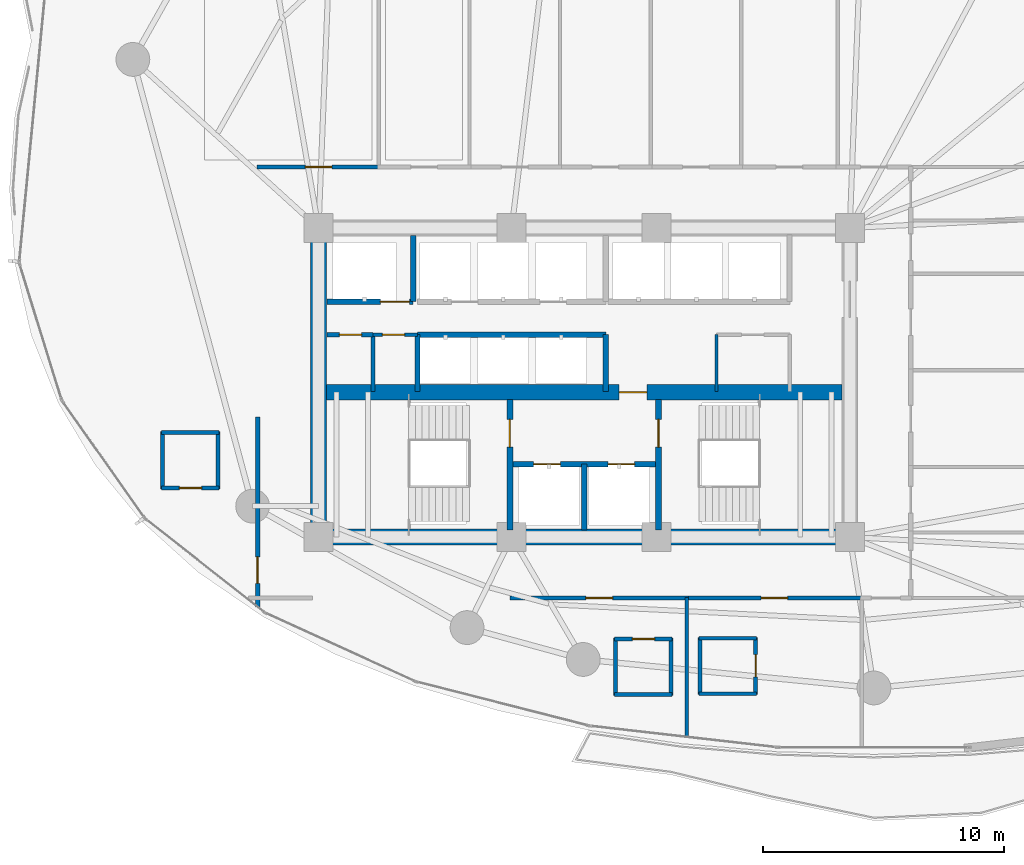
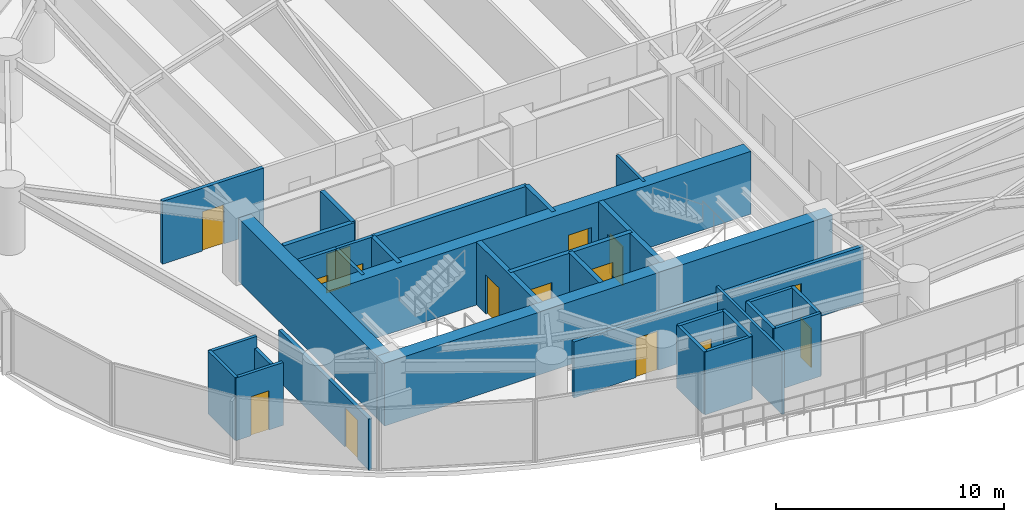
# One storey, part 25 of 32: 33 walls, 15 doors, 15 openings.
"""IFC4 building model written with IfcOpenShell, lengths in metres."""

import ifcopenshell
import ifcopenshell.guid

model = None  # the IFC model being written
_history = None  # IfcOwnerHistory: only IFC2X3 demands one
_inside = {}  # id of a spatial element -> (the spatial element, [elements in it])
_under = {}  # id of a project, library or spatial element -> (it, [spatial elements below it])
_declared = {}  # id of a project -> (the project, [libraries it declares])
_typed = {}  # id of a type object -> (the type object, [elements of that type])
_made_of = {}  # id of a material, layer set ... -> (it, [elements and type objects made of it])


def new_model(schema):
    """Start an empty IFC model of exactly this schema.

    Asked for "IFC4X3", IfcOpenShell would pick the latest addendum, in which some entities
    have other attributes; the version numbers below select the first issue.
    IFC2X3 requires an IfcOwnerHistory on every rooted entity: one is made here for all.
    """
    global model, _history
    if schema == "IFC4X3":
        model = ifcopenshell.file(schema_version=(4, 3, 0, 0))
    else:
        model = ifcopenshell.file(schema=schema)
    _inside.clear()
    _under.clear()
    _declared.clear()
    _typed.clear()
    _made_of.clear()
    _history = None
    if model.schema == "IFC2X3":
        org = make("IfcOrganization", Name="unknown")
        user = make(
            "IfcPersonAndOrganization",
            ThePerson=make("IfcPerson", FamilyName="unknown"),
            TheOrganization=org,
        )
        app = make(
            "IfcApplication",
            ApplicationDeveloper=org,
            Version="unknown",
            ApplicationFullName="unknown",
            ApplicationIdentifier="unknown",
        )
        _history = make(
            "IfcOwnerHistory",
            OwningUser=user,
            OwningApplication=app,
            ChangeAction="ADDED",
            CreationDate=0,
        )
    return model


def make(cls, **values):
    """One entity of the class cls with the attributes given. An attribute that is None is left unset."""
    return model.create_entity(
        cls, **{name: value for name, value in values.items() if value is not None}
    )


def rooted(cls, **values):
    """An entity with a GlobalId (a new one), such as an element, a storey or a relation."""
    return make(cls, GlobalId=ifcopenshell.guid.new(), OwnerHistory=_history, **values)


def si_unit(unit_type, name, prefix=None):
    """IfcSIUnit, for example si_unit("LENGTHUNIT", "METRE", prefix="MILLI")."""
    return make("IfcSIUnit", UnitType=unit_type, Prefix=prefix, Name=name)


def assignment(units):
    """IfcUnitAssignment: the units of a project."""
    return None if units is None else make("IfcUnitAssignment", Units=units)


def point(xyz):
    """IfcCartesianPoint."""
    return None if xyz is None else make("IfcCartesianPoint", Coordinates=xyz)


def direction(xyz):
    """IfcDirection."""
    return None if xyz is None else make("IfcDirection", DirectionRatios=xyz)


def frame(location, z_axis=None, x_axis=None):
    """IfcAxis2Placement3D, a coordinate frame: its origin and axes. An axis left out is left unset."""
    return make(
        "IfcAxis2Placement3D",
        Location=point(location),
        Axis=direction(z_axis),
        RefDirection=direction(x_axis),
    )


def frame_2d(location, x_axis=None):
    """IfcAxis2Placement2D, a coordinate frame in the plane: its origin and x axis."""
    return make(
        "IfcAxis2Placement2D", Location=point(location), RefDirection=direction(x_axis)
    )


def origin():
    """The frame at (0, 0, 0) with its axes left unset."""
    return frame((0.0, 0.0, 0.0))


def place(relative_to, where):
    """IfcLocalPlacement: puts the frame where relative to a parent placement (None: the world)."""
    return make(
        "IfcLocalPlacement", PlacementRelTo=relative_to, RelativePlacement=where
    )


def context(
    kind, dimensions, precision=None, world=None, true_north=None, identifier=None
):
    """IfcGeometricRepresentationContext, for example the 3D "Model" context."""
    return make(
        "IfcGeometricRepresentationContext",
        ContextIdentifier=identifier,
        ContextType=kind,
        CoordinateSpaceDimension=dimensions,
        Precision=precision,
        WorldCoordinateSystem=world,
        TrueNorth=true_north,
    )


def subcontext(parent, identifier, kind, view, scale=None):
    """IfcGeometricRepresentationSubContext, for example "Body" below "Model"."""
    return make(
        "IfcGeometricRepresentationSubContext",
        ContextIdentifier=identifier,
        ContextType=kind,
        ParentContext=parent,
        TargetScale=scale,
        TargetView=view,
    )


def project(units=None, contexts=None):
    """IfcProject with its units and contexts."""
    return rooted(
        "IfcProject",
        Name="project",
        RepresentationContexts=contexts,
        UnitsInContext=assignment(units),
    )


def spatial(cls, under=None, at=None, **own):
    """A site, building, storey or space (cls), placed at a placement, below another one or the project."""
    s = rooted(cls, ObjectPlacement=at, **own)
    if under is not None:
        _under.setdefault(under.id(), (under, []))[1].append(s)
    return s


def profile(cls, at=None, kind="AREA", **sizes):
    """A parametric profile (cls). Its sizes go by their IFC names, for example OverallWidth=200.0."""
    return make(cls, ProfileType=kind, Position=at, **sizes)


def rectangle(**sizes):
    """IfcRectangleProfileDef."""
    return profile("IfcRectangleProfileDef", **sizes)


def extrude(swept, where, along, depth):
    """IfcExtrudedAreaSolid: the profile swept, set in the frame where, extruded along a direction by depth."""
    return make(
        "IfcExtrudedAreaSolid",
        SweptArea=swept,
        Position=where,
        ExtrudedDirection=direction(along),
        Depth=depth,
    )


def shape(context_of_items, identifier, shape_type, items):
    """IfcShapeRepresentation: the items that make up one representation, for example the "Body"."""
    return make(
        "IfcShapeRepresentation",
        ContextOfItems=context_of_items,
        RepresentationIdentifier=identifier,
        RepresentationType=shape_type,
        Items=items,
    )


def material(Name=None, Category=None):
    """IfcMaterial."""
    return make("IfcMaterial", Name=Name, Category=Category)


def layer(
    of_material, thickness, ventilated=None, Name=None, Category=None, Priority=None
):
    """IfcMaterialLayer: one layer of a wall or slab, of a material (None: an air gap)."""
    return make(
        "IfcMaterialLayer",
        Material=of_material,
        LayerThickness=thickness,
        IsVentilated=ventilated,
        Name=Name,
        Category=Category,
        Priority=Priority,
    )


def layer_set(layers, Name=None):
    """IfcMaterialLayerSet."""
    return make("IfcMaterialLayerSet", MaterialLayers=layers, LayerSetName=Name)


def made_of(thing, what):
    """Note that an element or type object is made of a material, layer set ...; save() writes the relation."""
    if what is not None:
        _made_of.setdefault(what.id(), (what, []))[1].append(thing)
    return thing


def type_object(cls, material=None, **own):
    """A type object (cls), such as IfcWallType, which elements share."""
    return made_of(rooted(cls, **own), material)


def element(
    cls,
    number,
    at=None,
    inside=None,
    cuts=None,
    type_object=None,
    material=None,
    context=None,
    identifier="Body",
    shape_type=None,
    held_by="IfcProductDefinitionShape",
    body=None,
    shapes=None,
    **own,
):
    """One element of the class cls, such as IfcWall. Its Tag is "e" and its number.

    at: its placement. inside: the storey or other place that contains it. cuts: it is an
    opening in that element (IfcRelVoidsElement). A single representation is given by context,
    identifier, shape_type and body (its items); several are given by shapes. held_by: the class
    of the entity that holds the representations. save() writes the other relations.
    """
    e = rooted(cls, Tag="e%d" % number, ObjectPlacement=at, **own)
    if body is not None:
        shapes = [shape(context, identifier, shape_type, body)]
    if shapes is not None:
        e.Representation = make(held_by, Representations=shapes)
    if inside is not None:
        _inside.setdefault(inside.id(), (inside, []))[1].append(e)
    if cuts is not None:
        rooted(
            "IfcRelVoidsElement", RelatingBuildingElement=cuts, RelatedOpeningElement=e
        )
    if type_object is not None:
        _typed.setdefault(type_object.id(), (type_object, []))[1].append(e)
    return made_of(e, material)


def fill(opening, filler):
    """IfcRelFillsElement: the door or window that sits in an opening."""
    return rooted(
        "IfcRelFillsElement",
        RelatingOpeningElement=opening,
        RelatedBuildingElement=filler,
    )


def aggregate(whole, parts):
    """IfcRelAggregates: a whole, such as a stair, and the parts it consists of."""
    return rooted("IfcRelAggregates", RelatingObject=whole, RelatedObjects=parts)


def save(model, path):
    """Write the relations noted so far, then the file.

    IfcRelAggregates (storeys below a building ...), IfcRelContainedInSpatialStructure (elements
    in a storey), IfcRelDefinesByType, IfcRelAssociatesMaterial and IfcRelDeclares: one each for
    every whole, place, type object, material and project.
    """
    for whole, parts in _under.values():
        aggregate(whole, parts)
    for where, things in _inside.values():
        rooted(
            "IfcRelContainedInSpatialStructure",
            RelatedElements=things,
            RelatingStructure=where,
        )
    for kind, things in _typed.values():
        rooted("IfcRelDefinesByType", RelatedObjects=things, RelatingType=kind)
    for what, things in _made_of.values():
        rooted("IfcRelAssociatesMaterial", RelatedObjects=things, RelatingMaterial=what)
    for by, libraries in _declared.values():
        rooted("IfcRelDeclares", RelatingContext=by, RelatedDefinitions=libraries)
    model.write(path)


model = new_model("IFC4")

# Units and contexts
model_context = context("Model", 3, precision=1e-05, world=origin(), true_north=direction((0.0, 1.0)))
body_context = subcontext(model_context, "Body", "Model", "MODEL_VIEW")
ifc_project = project(units=[si_unit("LENGTHUNIT", "METRE"), si_unit("AREAUNIT", "SQUARE_METRE"), si_unit("VOLUMEUNIT", "CUBIC_METRE"), si_unit("PLANEANGLEUNIT", "RADIAN"), si_unit("MASSUNIT", "GRAM", prefix="KILO")], contexts=[model_context])

# Site, building, storey
site_placement = place(None, origin())
site = spatial("IfcSite", under=ifc_project, at=site_placement, CompositionType="ELEMENT")
building_placement = place(site_placement, origin())
building = spatial("IfcBuilding", under=site, at=building_placement, Name="Kazevale Care Tower and Concert Hall", CompositionType="ELEMENT")
storey_placement = place(building_placement, frame((0.0, 0.0, 34.800048828125)))
storey = spatial("IfcBuildingStorey", under=building, at=storey_placement, Name="L08", CompositionType="ELEMENT", Elevation=34.800048828125)

# Walls
ifc_material_1 = material(Name="Acoustic Gypsum on Steel Stud", Category="steel")
ifc_layer_1 = layer(ifc_material_1, 0.139892578125)
ifc_layer_set_1 = layer_set([ifc_layer_1], Name="Acoustic Gypsum on Steel Stud")
wall_type_1 = type_object("IfcWallType", Name="Acoustic Care & Suite Partition 140", PredefinedType="PARTITIONING", material=ifc_layer_set_1)
wall_1_placement = place(storey_placement, frame((38.47998046875, 29.6201171875, 0.0), z_axis=(0.0, 0.0, 1.0), x_axis=(0.0, 1.0, 0.0)))
element("IfcWall", 1, at=wall_1_placement, inside=storey, type_object=wall_type_1, Name="wall:L08:kb_ew", PredefinedType="PARTITIONING", context=body_context, shape_type="SweptSolid", body=[
    extrude(rectangle(XDim=2.35986328125, YDim=0.139892578125, at=frame_2d((1.179931640625, 0.0))), origin(), (0.0, 0.0, 1.0), 3.35986328125),
])
wall_2_placement = place(storey_placement, frame((37.25, 21.10498046875, 0.0), z_axis=(0.0, 0.0, 1.0), x_axis=(0.0, -1.0, 0.0)))
element("IfcWall", 2, at=wall_2_placement, inside=storey, type_object=wall_type_1, Name="wall:L08:auto_032", PredefinedType="PARTITIONING", context=body_context, shape_type="SweptSolid", body=[
    extrude(rectangle(XDim=5.775634765625, YDim=0.139892578125, at=frame_2d((2.8876953125, 0.0))), origin(), (0.0, 0.0, 1.0), 3.35986328125),
])
ifc_material_2 = material(Name="Concrete C70", Category="concrete")
ifc_layer_2 = layer(ifc_material_2, 0.64990234375)
ifc_layer_set_2 = layer_set([ifc_layer_2], Name="Concrete C70")
wall_type_2 = type_object("IfcWallType", Name="Core Shear Wall 650 C70", PredefinedType="SHEAR", material=ifc_layer_set_2)
wall_3_placement = place(storey_placement, frame((21.675048828125, 23.60009765625, 0.0), z_axis=(0.0, 0.0, 1.0), x_axis=(1.0, 0.0, 0.0)))
element("IfcWall", 3, at=wall_3_placement, inside=storey, type_object=wall_type_2, Name="wall:L08:core:S", PredefinedType="SHEAR", context=body_context, shape_type="SweptSolid", body=[
    extrude(rectangle(XDim=22.64990234375, YDim=0.64990234375, at=frame_2d((11.324951171875, 0.0))), origin(), (0.0, 0.0, 1.0), 3.35986328125),
])
wall_4_placement = place(storey_placement, frame((22.0, 23.925048828125, 0.0), z_axis=(0.0, 0.0, 1.0), x_axis=(0.0, 1.0, 0.0)))
element("IfcWall", 4, at=wall_4_placement, inside=storey, type_object=wall_type_2, Name="wall:L08:core:W", PredefinedType="SHEAR", context=body_context, shape_type="SweptSolid", body=[
    extrude(rectangle(XDim=12.14990234375, YDim=0.64990234375, at=frame_2d((6.074951171875, 0.0))), origin(), (0.0, 0.0, 1.0), 3.35986328125),
])

# Wall, opening, door
wall_5_placement = place(storey_placement, frame((22.324951171875, 29.60009765625, 0.0), z_axis=(0.0, 0.0, 1.0), x_axis=(1.0, 0.0, 0.0)))
wall_5 = element("IfcWall", 5, at=wall_5_placement, inside=storey, type_object=wall_type_2, Name="wall:L08:core:M", PredefinedType="SHEAR", context=body_context, shape_type="SweptSolid", body=[
    extrude(rectangle(XDim=21.35009765625, YDim=0.64990234375, at=frame_2d((10.675048828125, 0.0))), origin(), (0.0, 0.0, 1.0), 3.35986328125),
])
opening_1_placement = place(wall_5_placement, frame((12.125, 0.0, 0.0)))
opening_1 = element("IfcOpeningElement", 6, at=opening_1_placement, cuts=wall_5, Name="Opening FD-90", PredefinedType="OPENING", context=body_context, shape_type="SweptSolid", body=[
    extrude(rectangle(XDim=1.14990234375, YDim=2.10009765625, at=frame_2d((0.574951171875, 1.050048828125))), frame((0.0, 0.3349609375, 0.0), z_axis=(0.0, -1.0, 0.0), x_axis=(1.0, 0.0, 0.0)), (0.0, 0.0, 1.0), 0.669921875),
])
ifc_material_3 = material(Name="Steel ASTM A572 Gr 50", Category="steel")
door_type_1 = type_object("IfcDoorType", Name="Pressurized Stair & Lobby Fire Door 1150x2100", OperationType="NOTDEFINED", PredefinedType="DOOR", material=ifc_material_3)
door_1_placement = place(opening_1_placement, origin())
door_1 = element("IfcDoor", 7, at=door_1_placement, inside=storey, type_object=door_type_1, Name="door:L08:ff_to_pax", OperationType="SINGLE_SWING_LEFT", OverallHeight=2.10009765625, OverallWidth=1.14990234375, PredefinedType="DOOR", context=body_context, shape_type="SweptSolid", body=[
    extrude(rectangle(XDim=1.14990234375, YDim=2.10009765625, at=frame_2d((0.574951171875, 1.050048828125))), frame((0.0, 0.02490234375, 0.0), z_axis=(0.0, -1.0, 0.0), x_axis=(1.0, 0.0, 0.0)), (0.0, 0.0, 1.0), 0.050048828125),
])
fill(opening_1, door_1)

# Wall, openings, doors
ifc_material_4 = material(Name="Concrete C40", Category="concrete")
ifc_layer_3 = layer(ifc_material_4, 0.219970703125)
ifc_layer_set_3 = layer_set([ifc_layer_3], Name="Concrete C40")
wall_type_3 = type_object("IfcWallType", Name="Elevator Hoistway Shaft Wall 220", PredefinedType="SOLIDWALL", material=ifc_layer_set_3)
wall_6_placement = place(storey_placement, frame((29.919921875, 26.6201171875, 0.0), z_axis=(0.0, 0.0, 1.0), x_axis=(1.0, 0.0, 0.0)))
wall_6 = element("IfcWall", 8, at=wall_6_placement, inside=storey, type_object=wall_type_3, Name="wall:L08:c_ffl_n", PredefinedType="SOLIDWALL", context=body_context, shape_type="SweptSolid", body=[
    extrude(rectangle(XDim=6.16015625, YDim=0.219970703125, at=frame_2d((3.080078125, 0.0))), origin(), (0.0, 0.0, 1.0), 3.35986328125),
])
opening_2_placement = place(wall_6_placement, frame((0.989990234375, 0.0, 0.0)))
opening_2 = element("IfcOpeningElement", 9, at=opening_2_placement, cuts=wall_6, Name="Opening LD-FF", PredefinedType="OPENING", context=body_context, shape_type="SweptSolid", body=[
    extrude(rectangle(XDim=1.10009765625, YDim=2.10009765625, at=frame_2d((0.550048828125, 1.050048828125))), frame((0.0, 0.119873046875, 0.0), z_axis=(0.0, -1.0, 0.0), x_axis=(1.0, 0.0, 0.0)), (0.0, 0.0, 1.0), 0.239990234375),
])
opening_3_placement = place(wall_6_placement, frame((4.070068359375, 0.0, 0.0)))
opening_3 = element("IfcOpeningElement", 10, at=opening_3_placement, cuts=wall_6, Name="Opening LD-FF", PredefinedType="OPENING", context=body_context, shape_type="SweptSolid", body=[
    extrude(rectangle(XDim=1.10009765625, YDim=2.10009765625, at=frame_2d((0.550048828125, 1.050048828125))), frame((0.0, 0.119873046875, 0.0), z_axis=(0.0, -1.0, 0.0), x_axis=(1.0, 0.0, 0.0)), (0.0, 0.0, 1.0), 0.239990234375),
])
ifc_material_5 = material(Name="Stainless Steel 316", Category="steel")
door_type_2 = type_object("IfcDoorType", Name="Emergency Lift Sliding Landing Door 1100x2100", OperationType="NOTDEFINED", PredefinedType="DOOR", material=ifc_material_5)
door_2_placement = place(opening_2_placement, origin())
door_2 = element("IfcDoor", 11, at=door_2_placement, inside=storey, type_object=door_type_2, Name="door:L08:ld_ffl1", OperationType="SLIDING_TO_LEFT", OverallHeight=2.10009765625, OverallWidth=1.10009765625, PredefinedType="DOOR", context=body_context, shape_type="SweptSolid", body=[
    extrude(rectangle(XDim=1.10009765625, YDim=2.10009765625, at=frame_2d((0.550048828125, 1.050048828125))), frame((0.0, 0.02490234375, 0.0), z_axis=(0.0, -1.0, 0.0), x_axis=(1.0, 0.0, 0.0)), (0.0, 0.0, 1.0), 0.050048828125),
])
fill(opening_2, door_2)
door_3_placement = place(opening_3_placement, origin())
door_3 = element("IfcDoor", 12, at=door_3_placement, inside=storey, type_object=door_type_2, Name="door:L08:ld_ffl2", OperationType="SLIDING_TO_RIGHT", OverallHeight=2.10009765625, OverallWidth=1.10009765625, PredefinedType="DOOR", context=body_context, shape_type="SweptSolid", body=[
    extrude(rectangle(XDim=1.10009765625, YDim=2.10009765625, at=frame_2d((0.550048828125, 1.050048828125))), frame((0.0, 0.02490234375, 0.0), z_axis=(0.0, -1.0, 0.0), x_axis=(1.0, 0.0, 0.0)), (0.0, 0.0, 1.0), 0.050048828125),
])
fill(opening_3, door_3)

# Walls
wall_7_placement = place(storey_placement, frame((33.0, 23.89990234375, 0.0), z_axis=(0.0, 0.0, 1.0), x_axis=(0.0, 1.0, 0.0)))
element("IfcWall", 13, at=wall_7_placement, inside=storey, type_object=wall_type_3, Name="wall:L08:c_ffl_m", PredefinedType="SOLIDWALL", context=body_context, shape_type="SweptSolid", body=[
    extrude(rectangle(XDim=2.72021484375, YDim=0.219970703125, at=frame_2d((1.360107421875, 0.0))), origin(), (0.0, 0.0, 1.0), 3.35986328125),
])
wall_8_placement = place(storey_placement, frame((25.919921875, 33.35009765625, 0.0), z_axis=(0.0, 0.0, 1.0), x_axis=(0.0, 1.0, 0.0)))
element("IfcWall", 14, at=wall_8_placement, inside=storey, type_object=wall_type_3, Name="wall:L08:c_svl_e", PredefinedType="SOLIDWALL", context=body_context, shape_type="SweptSolid", body=[
    extrude(rectangle(XDim=2.72998046875, YDim=0.219970703125, at=frame_2d((1.364990234375, 0.0))), origin(), (0.0, 0.0, 1.0), 3.35986328125),
])

# Wall, opening, door
wall_9_placement = place(storey_placement, frame((22.35009765625, 33.35009765625, 0.0), z_axis=(0.0, 0.0, 1.0), x_axis=(1.0, 0.0, 0.0)))
wall_9 = element("IfcWall", 15, at=wall_9_placement, inside=storey, type_object=wall_type_3, Name="wall:L08:c_svl_s", PredefinedType="SOLIDWALL", context=body_context, shape_type="SweptSolid", body=[
    extrude(rectangle(XDim=3.56982421875, YDim=0.219970703125, at=frame_2d((1.784912109375, 0.0))), origin(), (0.0, 0.0, 1.0), 3.35986328125),
])
opening_4_placement = place(wall_9_placement, frame((2.212890625, 0.0, 0.0)))
opening_4 = element("IfcOpeningElement", 16, at=opening_4_placement, cuts=wall_9, Name="Opening LD-SV", PredefinedType="OPENING", context=body_context, shape_type="SweptSolid", body=[
    extrude(rectangle(XDim=1.199951171875, YDim=2.10009765625, at=frame_2d((0.60009765625, 1.050048828125))), frame((0.0, 0.119873046875, 0.0), z_axis=(0.0, -1.0, 0.0), x_axis=(1.0, 0.0, 0.0)), (0.0, 0.0, 1.0), 0.239990234375),
])
door_type_3 = type_object("IfcDoorType", Name="Service Lift Sliding Landing Door 1200x2100", OperationType="NOTDEFINED", PredefinedType="DOOR", material=ifc_material_5)
door_4_placement = place(opening_4_placement, origin())
door_4 = element("IfcDoor", 17, at=door_4_placement, inside=storey, type_object=door_type_3, Name="door:L08:ld_svl1", OperationType="SLIDING_TO_LEFT", OverallHeight=2.10009765625, OverallWidth=1.199951171875, PredefinedType="DOOR", context=body_context, shape_type="SweptSolid", body=[
    extrude(rectangle(XDim=1.199951171875, YDim=2.10009765625, at=frame_2d((0.60009765625, 1.050048828125))), frame((0.0, 0.02490234375, 0.0), z_axis=(0.0, -1.0, 0.0), x_axis=(1.0, 0.0, 0.0)), (0.0, 0.0, 1.0), 0.050048828125),
])
fill(opening_4, door_4)

# Walls
wall_10_placement = place(storey_placement, frame((26.10009765625, 29.6201171875, 0.0), z_axis=(0.0, 0.0, 1.0), x_axis=(0.0, 1.0, 0.0)))
element("IfcWall", 18, at=wall_10_placement, inside=storey, type_object=wall_type_3, Name="wall:L08:c_ph_w", PredefinedType="SOLIDWALL", context=body_context, shape_type="SweptSolid", body=[
    extrude(rectangle(XDim=2.35986328125, YDim=0.219970703125, at=frame_2d((1.179931640625, 0.0))), origin(), (0.0, 0.0, 1.0), 3.35986328125),
])
wall_11_placement = place(storey_placement, frame((26.10009765625, 31.97998046875, 0.0), z_axis=(0.0, 0.0, 1.0), x_axis=(1.0, 0.0, 0.0)))
element("IfcWall", 19, at=wall_11_placement, inside=storey, type_object=wall_type_3, Name="wall:L08:c_ph_n", PredefinedType="SOLIDWALL", context=body_context, shape_type="SweptSolid", body=[
    extrude(rectangle(XDim=7.7998046875, YDim=0.219970703125, at=frame_2d((3.89990234375, 0.0))), origin(), (0.0, 0.0, 1.0), 3.35986328125),
])
wall_12_placement = place(storey_placement, frame((33.89990234375, 29.6201171875, 0.0), z_axis=(0.0, 0.0, 1.0), x_axis=(0.0, 1.0, 0.0)))
element("IfcWall", 20, at=wall_12_placement, inside=storey, type_object=wall_type_3, Name="wall:L08:c_ph_e", PredefinedType="SOLIDWALL", context=body_context, shape_type="SweptSolid", body=[
    extrude(rectangle(XDim=2.35986328125, YDim=0.219970703125, at=frame_2d((1.179931640625, 0.0))), origin(), (0.0, 0.0, 1.0), 3.35986328125),
])

# Wall, opening, door
ifc_material_6 = material(Name="Concrete C40 and Acoustic Gypsum", Category="concrete")
ifc_layer_4 = layer(ifc_material_6, 0.179931640625)
ifc_layer_set_4 = layer_set([ifc_layer_4], Name="Concrete C40 and Acoustic Gypsum")
wall_type_4 = type_object("IfcWallType", Name="Fire-Rated Corridor & Party Wall 180", PredefinedType="PARTITIONING", material=ifc_layer_set_4)
wall_13_placement = place(storey_placement, frame((22.35009765625, 31.97998046875, 0.0), z_axis=(0.0, 0.0, 1.0), x_axis=(1.0, 0.0, 0.0)))
wall_13 = element("IfcWall", 21, at=wall_13_placement, inside=storey, type_object=wall_type_4, Name="wall:L08:kb_wn0", PredefinedType="PARTITIONING", context=body_context, shape_type="SweptSolid", body=[
    extrude(rectangle(XDim=1.909912109375, YDim=0.179931640625, at=frame_2d((0.955078125, 0.0))), origin(), (0.0, 0.0, 1.0), 3.35986328125),
])
opening_5_placement = place(wall_13_placement, frame((0.514892578125, 0.0, 0.0)))
opening_5 = element("IfcOpeningElement", 22, at=opening_5_placement, cuts=wall_13, Name="Opening ID-900", PredefinedType="OPENING", context=body_context, shape_type="SweptSolid", body=[
    extrude(rectangle(XDim=0.919921875, YDim=2.10009765625, at=frame_2d((0.4599609375, 1.050048828125))), frame((0.0, 0.099853515625, 0.0), z_axis=(0.0, -1.0, 0.0), x_axis=(1.0, 0.0, 0.0)), (0.0, 0.0, 1.0), 0.199951171875),
])
ifc_material_7 = material(Name="Oak Timber Fire Leaf", Category="wood")
door_type_4 = type_object("IfcDoorType", Name="Bathroom & Service Door 920x2100", OperationType="NOTDEFINED", PredefinedType="DOOR", material=ifc_material_7)
door_5_placement = place(opening_5_placement, origin())
door_5 = element("IfcDoor", 23, at=door_5_placement, inside=storey, type_object=door_type_4, Name="door:L08:d_kbw1", OperationType="SINGLE_SWING_LEFT", OverallHeight=2.10009765625, OverallWidth=0.919921875, PredefinedType="DOOR", context=body_context, shape_type="SweptSolid", body=[
    extrude(rectangle(XDim=0.919921875, YDim=2.10009765625, at=frame_2d((0.4599609375, 1.050048828125))), frame((0.0, 0.02490234375, 0.0), z_axis=(0.0, -1.0, 0.0), x_axis=(1.0, 0.0, 0.0)), (0.0, 0.0, 1.0), 0.050048828125),
])
fill(opening_5, door_5)

wall_14_placement = place(storey_placement, frame((19.445068359375, 38.925048828125, 0.0), z_axis=(0.0, 0.0, 1.0), x_axis=(1.0, 0.0, 0.0)))
wall_14 = element("IfcWall", 24, at=wall_14_placement, inside=storey, type_object=wall_type_4, Name="wall:L08:auto_001", PredefinedType="PARTITIONING", context=body_context, shape_type="SweptSolid", body=[
    extrude(rectangle(XDim=5.119873046875, YDim=0.179931640625, at=frame_2d((2.56005859375, 0.0))), origin(), (0.0, 0.0, 1.0), 3.35986328125),
])
opening_6_placement = place(wall_14_placement, frame((2.010009765625, 0.0, 0.0)))
opening_6 = element("IfcOpeningElement", 25, at=opening_6_placement, cuts=wall_14, Name="Opening ID-1100", PredefinedType="OPENING", context=body_context, shape_type="SweptSolid", body=[
    extrude(rectangle(XDim=1.10009765625, YDim=2.10009765625, at=frame_2d((0.550048828125, 1.050048828125))), frame((0.0, 0.099853515625, 0.0), z_axis=(0.0, -1.0, 0.0), x_axis=(1.0, 0.0, 0.0)), (0.0, 0.0, 1.0), 0.199951171875),
])
door_type_5 = type_object("IfcDoorType", Name="Care Bedroom Accessible Door 1100x2100", OperationType="NOTDEFINED", PredefinedType="DOOR", material=ifc_material_7)
door_6_placement = place(opening_6_placement, origin())
door_6 = element("IfcDoor", 26, at=door_6_placement, inside=storey, type_object=door_type_5, Name="door:L08:ad_001", OperationType="SINGLE_SWING_LEFT", OverallHeight=2.10009765625, OverallWidth=1.10009765625, PredefinedType="DOOR", context=body_context, shape_type="SweptSolid", body=[
    extrude(rectangle(XDim=1.10009765625, YDim=2.10009765625, at=frame_2d((0.550048828125, 1.050048828125))), frame((0.0, 0.02490234375, 0.0), z_axis=(0.0, -1.0, 0.0), x_axis=(1.0, 0.0, 0.0)), (0.0, 0.0, 1.0), 0.050048828125),
])
fill(opening_6, door_6)

wall_15_placement = place(storey_placement, frame((37.31494140625, 21.074951171875, 0.0), z_axis=(0.0, 0.0, 1.0), x_axis=(-1.0, 0.0, 0.0)))
wall_15 = element("IfcWall", 27, at=wall_15_placement, inside=storey, type_object=wall_type_4, Name="wall:L08:auto_014", PredefinedType="PARTITIONING", context=body_context, shape_type="SweptSolid", body=[
    extrude(rectangle(XDim=7.3798828125, YDim=0.179931640625, at=frame_2d((3.68994140625, 0.0))), origin(), (0.0, 0.0, 1.0), 2.995849609375),
])
opening_7_placement = place(wall_15_placement, frame((3.139892578125, 0.0, 0.0)))
opening_7 = element("IfcOpeningElement", 28, at=opening_7_placement, cuts=wall_15, Name="Opening ID-1100", PredefinedType="OPENING", context=body_context, shape_type="SweptSolid", body=[
    extrude(rectangle(XDim=1.10009765625, YDim=2.10009765625, at=frame_2d((0.550048828125, 1.050048828125))), frame((0.0, 0.099853515625, 0.0), z_axis=(0.0, -1.0, 0.0), x_axis=(1.0, 0.0, 0.0)), (0.0, 0.0, 1.0), 0.199951171875),
])
door_7_placement = place(opening_7_placement, origin())
door_7 = element("IfcDoor", 29, at=door_7_placement, inside=storey, type_object=door_type_5, Name="door:L08:ad_014", OperationType="SINGLE_SWING_LEFT", OverallHeight=2.10009765625, OverallWidth=1.10009765625, PredefinedType="DOOR", context=body_context, shape_type="SweptSolid", body=[
    extrude(rectangle(XDim=1.10009765625, YDim=2.10009765625, at=frame_2d((0.550048828125, 1.050048828125))), frame((0.0, 0.02490234375, 0.0), z_axis=(0.0, -1.0, 0.0), x_axis=(1.0, 0.0, 0.0)), (0.0, 0.0, 1.0), 0.050048828125),
])
fill(opening_7, door_7)

wall_16_placement = place(storey_placement, frame((44.56494140625, 21.074951171875, 0.0), z_axis=(0.0, 0.0, 1.0), x_axis=(-1.0, 0.0, 0.0)))
wall_16 = element("IfcWall", 30, at=wall_16_placement, inside=storey, type_object=wall_type_4, Name="wall:L08:auto_015", PredefinedType="PARTITIONING", context=body_context, shape_type="SweptSolid", body=[
    extrude(rectangle(XDim=7.3798828125, YDim=0.179931640625, at=frame_2d((3.68994140625, 0.0))), origin(), (0.0, 0.0, 1.0), 2.995849609375),
])
opening_8_placement = place(wall_16_placement, frame((3.139892578125, 0.0, 0.0)))
opening_8 = element("IfcOpeningElement", 31, at=opening_8_placement, cuts=wall_16, Name="Opening ID-1100", PredefinedType="OPENING", context=body_context, shape_type="SweptSolid", body=[
    extrude(rectangle(XDim=1.10009765625, YDim=2.10009765625, at=frame_2d((0.550048828125, 1.050048828125))), frame((0.0, 0.099853515625, 0.0), z_axis=(0.0, -1.0, 0.0), x_axis=(1.0, 0.0, 0.0)), (0.0, 0.0, 1.0), 0.199951171875),
])
door_8_placement = place(opening_8_placement, origin())
door_8 = element("IfcDoor", 32, at=door_8_placement, inside=storey, type_object=door_type_5, Name="door:L08:ad_015", OperationType="SINGLE_SWING_LEFT", OverallHeight=2.10009765625, OverallWidth=1.10009765625, PredefinedType="DOOR", context=body_context, shape_type="SweptSolid", body=[
    extrude(rectangle(XDim=1.10009765625, YDim=2.10009765625, at=frame_2d((0.550048828125, 1.050048828125))), frame((0.0, 0.02490234375, 0.0), z_axis=(0.0, -1.0, 0.0), x_axis=(1.0, 0.0, 0.0)), (0.0, 0.0, 1.0), 0.050048828125),
])
fill(opening_8, door_8)

wall_17_placement = place(storey_placement, frame((19.47509765625, 20.695068359375, 0.0), z_axis=(0.0, 0.0, 1.0), x_axis=(0.0, 1.0, 0.0)))
wall_17 = element("IfcWall", 33, at=wall_17_placement, inside=storey, type_object=wall_type_4, Name="wall:L08:auto_017", PredefinedType="PARTITIONING", context=body_context, shape_type="SweptSolid", body=[
    extrude(rectangle(XDim=7.869873046875, YDim=0.179931640625, at=frame_2d((3.93505859375, 0.0))), origin(), (0.0, 0.0, 1.0), 2.738037109375),
])
opening_9_placement = place(wall_17_placement, frame((0.985107421875, 0.0, 0.0)))
opening_9 = element("IfcOpeningElement", 34, at=opening_9_placement, cuts=wall_17, Name="Opening ID-1100", PredefinedType="OPENING", context=body_context, shape_type="SweptSolid", body=[
    extrude(rectangle(XDim=1.10009765625, YDim=2.10009765625, at=frame_2d((0.550048828125, 1.050048828125))), frame((0.0, 0.099853515625, 0.0), z_axis=(0.0, -1.0, 0.0), x_axis=(1.0, 0.0, 0.0)), (0.0, 0.0, 1.0), 0.199951171875),
])
door_9_placement = place(opening_9_placement, origin())
door_9 = element("IfcDoor", 35, at=door_9_placement, inside=storey, type_object=door_type_5, Name="door:L08:ad_017", OperationType="SINGLE_SWING_LEFT", OverallHeight=2.10009765625, OverallWidth=1.10009765625, PredefinedType="DOOR", context=body_context, shape_type="SweptSolid", body=[
    extrude(rectangle(XDim=1.10009765625, YDim=2.10009765625, at=frame_2d((0.550048828125, 1.050048828125))), frame((0.0, 0.02490234375, 0.0), z_axis=(0.0, -1.0, 0.0), x_axis=(1.0, 0.0, 0.0)), (0.0, 0.0, 1.0), 0.050048828125),
])
fill(opening_9, door_9)

# Wall
ifc_layer_5 = layer(ifc_material_1, 0.159912109375)
ifc_layer_set_5 = layer_set([ifc_layer_5], Name="Acoustic Gypsum on Steel Stud")
wall_type_5 = type_object("IfcWallType", Name="Moisture-Resistant Bathroom Plumbing Wall 160", PredefinedType="PLUMBINGWALL", material=ifc_layer_set_5)
wall_18_placement = place(storey_placement, frame((24.260009765625, 29.6201171875, 0.0), z_axis=(0.0, 0.0, 1.0), x_axis=(0.0, 1.0, 0.0)))
element("IfcWall", 36, at=wall_18_placement, inside=storey, type_object=wall_type_5, Name="wall:L08:kb_we1", PredefinedType="PLUMBINGWALL", context=body_context, shape_type="SweptSolid", body=[
    extrude(rectangle(XDim=2.35986328125, YDim=0.159912109375, at=frame_2d((1.179931640625, 0.0))), origin(), (0.0, 0.0, 1.0), 3.35986328125),
])

# Wall, opening, door
wall_19_placement = place(storey_placement, frame((24.260009765625, 31.97998046875, 0.0), z_axis=(0.0, 0.0, 1.0), x_axis=(1.0, 0.0, 0.0)))
wall_19 = element("IfcWall", 37, at=wall_19_placement, inside=storey, type_object=wall_type_5, Name="wall:L08:kb_wn1", PredefinedType="PLUMBINGWALL", context=body_context, shape_type="SweptSolid", body=[
    extrude(rectangle(XDim=1.840087890625, YDim=0.159912109375, at=frame_2d((0.919921875, 0.0))), origin(), (0.0, 0.0, 1.0), 3.35986328125),
])
opening_10_placement = place(wall_19_placement, frame((0.387939453125, 0.0, 0.0)))
opening_10 = element("IfcOpeningElement", 38, at=opening_10_placement, cuts=wall_19, Name="Opening ID-900", PredefinedType="OPENING", context=body_context, shape_type="SweptSolid", body=[
    extrude(rectangle(XDim=0.919921875, YDim=2.10009765625, at=frame_2d((0.4599609375, 1.050048828125))), frame((0.0, 0.08984375, 0.0), z_axis=(0.0, -1.0, 0.0), x_axis=(1.0, 0.0, 0.0)), (0.0, 0.0, 1.0), 0.179931640625),
])
door_10_placement = place(opening_10_placement, origin())
door_10 = element("IfcDoor", 39, at=door_10_placement, inside=storey, type_object=door_type_4, Name="door:L08:d_kbw2", OperationType="SINGLE_SWING_RIGHT", OverallHeight=2.10009765625, OverallWidth=0.919921875, PredefinedType="DOOR", context=body_context, shape_type="SweptSolid", body=[
    extrude(rectangle(XDim=0.919921875, YDim=2.10009765625, at=frame_2d((0.4599609375, 1.050048828125))), frame((0.0, 0.02490234375, 0.0), z_axis=(0.0, -1.0, 0.0), x_axis=(1.0, 0.0, 0.0)), (0.0, 0.0, 1.0), 0.050048828125),
])
fill(opening_10, door_10)

# Wall
wall_20_placement = place(storey_placement, frame((34.260009765625, 17.080078125, 0.0), z_axis=(0.0, 0.0, 1.0), x_axis=(1.0, 0.0, 0.0)))
element("IfcWall", 40, at=wall_20_placement, inside=storey, type_object=wall_type_5, Name="wall:L08:sb2a_ens_ws", PredefinedType="PLUMBINGWALL", context=body_context, shape_type="SweptSolid", body=[
    extrude(rectangle(XDim=2.3798828125, YDim=0.159912109375, at=frame_2d((1.18994140625, 0.0))), origin(), (0.0, 0.0, 1.0), 3.35986328125),
])

# Wall, opening, door
wall_21_placement = place(storey_placement, frame((34.260009765625, 19.3798828125, 0.0), z_axis=(0.0, 0.0, 1.0), x_axis=(1.0, 0.0, 0.0)))
wall_21 = element("IfcWall", 41, at=wall_21_placement, inside=storey, type_object=wall_type_5, Name="wall:L08:sb2a_ens_wn", PredefinedType="PLUMBINGWALL", context=body_context, shape_type="SweptSolid", body=[
    extrude(rectangle(XDim=2.3798828125, YDim=0.159912109375, at=frame_2d((1.18994140625, 0.0))), origin(), (0.0, 0.0, 1.0), 3.35986328125),
])
opening_11_placement = place(wall_21_placement, frame((0.739990234375, 0.0, 0.0)))
opening_11 = element("IfcOpeningElement", 42, at=opening_11_placement, cuts=wall_21, Name="Opening ID-900", PredefinedType="OPENING", context=body_context, shape_type="SweptSolid", body=[
    extrude(rectangle(XDim=0.919921875, YDim=2.10009765625, at=frame_2d((0.4599609375, 1.050048828125))), frame((0.0, 0.08984375, 0.0), z_axis=(0.0, -1.0, 0.0), x_axis=(1.0, 0.0, 0.0)), (0.0, 0.0, 1.0), 0.179931640625),
])
door_11_placement = place(opening_11_placement, origin())
door_11 = element("IfcDoor", 43, at=door_11_placement, inside=storey, type_object=door_type_4, Name="door:L08:sb2a_ens_d", OperationType="SINGLE_SWING_RIGHT", OverallHeight=2.10009765625, OverallWidth=0.919921875, PredefinedType="DOOR", context=body_context, shape_type="SweptSolid", body=[
    extrude(rectangle(XDim=0.919921875, YDim=2.10009765625, at=frame_2d((0.4599609375, 1.050048828125))), frame((0.0, 0.02490234375, 0.0), z_axis=(0.0, -1.0, 0.0), x_axis=(1.0, 0.0, 0.0)), (0.0, 0.0, 1.0), 0.050048828125),
])
fill(opening_11, door_11)

# Walls
for number, where, z_axis, x_axis, name in (
    (44, (34.300048828125, 17.0400390625, 0.0), (0.0, 0.0, 1.0), (0.0, 1.0, 0.0), "wall:L08:sb2a_ens_ww"),
    (45, (36.60009765625, 17.0400390625, 0.0), (0.0, 0.0, 1.0), (0.0, 1.0, 0.0), "wall:L08:sb2a_ens_we"),
    (46, (37.760009765625, 17.10888671875, 0.0), (0.0, 0.0, 1.0), (1.0, 0.0, 0.0), "wall:L08:sb2b_ens_ws"),
    (47, (37.760009765625, 19.408935546875, 0.0), (0.0, 0.0, 1.0), (1.0, 0.0, 0.0), "wall:L08:sb2b_ens_wn"),
    (48, (37.800048828125, 17.069091796875, 0.0), (0.0, 0.0, 1.0), (0.0, 1.0, 0.0), "wall:L08:sb2b_ens_ww"),
):
    element("IfcWall", number, at=place(storey_placement, frame(where, z_axis=z_axis, x_axis=x_axis)), inside=storey, type_object=wall_type_5, Name=name, PredefinedType="PLUMBINGWALL", context=body_context, shape_type="SweptSolid", body=[
        extrude(rectangle(XDim=2.3798828125, YDim=0.159912109375, at=frame_2d((1.18994140625, 0.0))), origin(), (0.0, 0.0, 1.0), 3.35986328125),
    ])

# Wall, opening, door
wall_22_placement = place(storey_placement, frame((40.10009765625, 17.069091796875, 0.0), z_axis=(0.0, 0.0, 1.0), x_axis=(0.0, 1.0, 0.0)))
wall_22 = element("IfcWall", 49, at=wall_22_placement, inside=storey, type_object=wall_type_5, Name="wall:L08:sb2b_ens_we", PredefinedType="PLUMBINGWALL", context=body_context, shape_type="SweptSolid", body=[
    extrude(rectangle(XDim=2.3798828125, YDim=0.159912109375, at=frame_2d((1.18994140625, 0.0))), origin(), (0.0, 0.0, 1.0), 3.35986328125),
])
opening_12_placement = place(wall_22_placement, frame((0.739990234375, 0.0, 0.0)))
opening_12 = element("IfcOpeningElement", 50, at=opening_12_placement, cuts=wall_22, Name="Opening ID-900", PredefinedType="OPENING", context=body_context, shape_type="SweptSolid", body=[
    extrude(rectangle(XDim=0.919921875, YDim=2.10009765625, at=frame_2d((0.4599609375, 1.050048828125))), frame((0.0, 0.08984375, 0.0), z_axis=(0.0, -1.0, 0.0), x_axis=(1.0, 0.0, 0.0)), (0.0, 0.0, 1.0), 0.179931640625),
])
door_12_placement = place(opening_12_placement, origin())
door_12 = element("IfcDoor", 51, at=door_12_placement, inside=storey, type_object=door_type_4, Name="door:L08:sb2b_ens_d", OperationType="SINGLE_SWING_LEFT", OverallHeight=2.10009765625, OverallWidth=0.919921875, PredefinedType="DOOR", context=body_context, shape_type="SweptSolid", body=[
    extrude(rectangle(XDim=0.919921875, YDim=2.10009765625, at=frame_2d((0.4599609375, 1.050048828125))), frame((0.0, 0.02490234375, 0.0), z_axis=(0.0, -1.0, 0.0), x_axis=(1.0, 0.0, 0.0)), (0.0, 0.0, 1.0), 0.050048828125),
])
fill(opening_12, door_12)

wall_23_placement = place(storey_placement, frame((15.4970703125, 25.634033203125, 0.0), z_axis=(0.0, 0.0, 1.0), x_axis=(1.0, 0.0, 0.0)))
wall_23 = element("IfcWall", 52, at=wall_23_placement, inside=storey, type_object=wall_type_5, Name="wall:L08:wb1_ens_ws", PredefinedType="PLUMBINGWALL", context=body_context, shape_type="SweptSolid", body=[
    extrude(rectangle(XDim=2.3798828125, YDim=0.159912109375, at=frame_2d((1.18994140625, 0.0))), origin(), (0.0, 0.0, 1.0), 3.35986328125),
])
opening_13_placement = place(wall_23_placement, frame((0.739990234375, 0.0, 0.0)))
opening_13 = element("IfcOpeningElement", 53, at=opening_13_placement, cuts=wall_23, Name="Opening ID-900", PredefinedType="OPENING", context=body_context, shape_type="SweptSolid", body=[
    extrude(rectangle(XDim=0.919921875, YDim=2.10009765625, at=frame_2d((0.4599609375, 1.050048828125))), frame((0.0, 0.08984375, 0.0), z_axis=(0.0, -1.0, 0.0), x_axis=(1.0, 0.0, 0.0)), (0.0, 0.0, 1.0), 0.179931640625),
])
door_13_placement = place(opening_13_placement, origin())
door_13 = element("IfcDoor", 54, at=door_13_placement, inside=storey, type_object=door_type_4, Name="door:L08:wb1_ens_d", OperationType="SINGLE_SWING_RIGHT", OverallHeight=2.10009765625, OverallWidth=0.919921875, PredefinedType="DOOR", context=body_context, shape_type="SweptSolid", body=[
    extrude(rectangle(XDim=0.919921875, YDim=2.10009765625, at=frame_2d((0.4599609375, 1.050048828125))), frame((0.0, 0.02490234375, 0.0), z_axis=(0.0, -1.0, 0.0), x_axis=(1.0, 0.0, 0.0)), (0.0, 0.0, 1.0), 0.050048828125),
])
fill(opening_13, door_13)

# Walls
wall_24_placement = place(storey_placement, frame((15.4970703125, 27.93408203125, 0.0), z_axis=(0.0, 0.0, 1.0), x_axis=(1.0, 0.0, 0.0)))
element("IfcWall", 55, at=wall_24_placement, inside=storey, type_object=wall_type_5, Name="wall:L08:wb1_ens_wn", PredefinedType="PLUMBINGWALL", context=body_context, shape_type="SweptSolid", body=[
    extrude(rectangle(XDim=2.3798828125, YDim=0.159912109375, at=frame_2d((1.18994140625, 0.0))), origin(), (0.0, 0.0, 1.0), 3.35986328125),
])
wall_25_placement = place(storey_placement, frame((15.537109375, 25.593994140625, 0.0), z_axis=(0.0, 0.0, 1.0), x_axis=(0.0, 1.0, 0.0)))
element("IfcWall", 56, at=wall_25_placement, inside=storey, type_object=wall_type_5, Name="wall:L08:wb1_ens_ww", PredefinedType="PLUMBINGWALL", context=body_context, shape_type="SweptSolid", body=[
    extrude(rectangle(XDim=2.380126953125, YDim=0.159912109375, at=frame_2d((1.18994140625, 0.0))), origin(), (0.0, 0.0, 1.0), 3.35986328125),
])
wall_26_placement = place(storey_placement, frame((17.8369140625, 25.593994140625, 0.0), z_axis=(0.0, 0.0, 1.0), x_axis=(0.0, 1.0, 0.0)))
element("IfcWall", 57, at=wall_26_placement, inside=storey, type_object=wall_type_5, Name="wall:L08:wb1_ens_we", PredefinedType="PLUMBINGWALL", context=body_context, shape_type="SweptSolid", body=[
    extrude(rectangle(XDim=2.380126953125, YDim=0.159912109375, at=frame_2d((1.18994140625, 0.0))), origin(), (0.0, 0.0, 1.0), 2.738037109375),
])

# Wall, opening, door
ifc_layer_6 = layer(ifc_material_4, 0.25)
ifc_layer_set_6 = layer_set([ifc_layer_6], Name="Concrete C40")
wall_type_6 = type_object("IfcWallType", Name="Pressurized Stair Shaft Wall 250", PredefinedType="SOLIDWALL", material=ifc_layer_set_6)
wall_27_placement = place(storey_placement, frame((29.919921875, 23.89990234375, 0.0), z_axis=(0.0, 0.0, 1.0), x_axis=(0.0, 1.0, 0.0)))
wall_27 = element("IfcWall", 58, at=wall_27_placement, inside=storey, type_object=wall_type_6, Name="wall:L08:c_st1_e", PredefinedType="SOLIDWALL", context=body_context, shape_type="SweptSolid", body=[
    extrude(rectangle(XDim=5.400146484375, YDim=0.25, at=frame_2d((2.7001953125, 0.0))), origin(), (0.0, 0.0, 1.0), 3.35986328125),
])
opening_14_placement = place(wall_27_placement, frame((3.4208984375, 0.0, 0.0)))
opening_14 = element("IfcOpeningElement", 59, at=opening_14_placement, cuts=wall_27, Name="Opening FD-90", PredefinedType="OPENING", context=body_context, shape_type="SweptSolid", body=[
    extrude(rectangle(XDim=1.14990234375, YDim=2.10009765625, at=frame_2d((0.574951171875, 1.050048828125))), frame((0.0, 0.135009765625, 0.0), z_axis=(0.0, -1.0, 0.0), x_axis=(1.0, 0.0, 0.0)), (0.0, 0.0, 1.0), 0.27001953125),
])
door_14_placement = place(opening_14_placement, origin())
door_14 = element("IfcDoor", 60, at=door_14_placement, inside=storey, type_object=door_type_1, Name="door:L08:st1", OperationType="SINGLE_SWING_RIGHT", OverallHeight=2.10009765625, OverallWidth=1.14990234375, PredefinedType="DOOR", context=body_context, shape_type="SweptSolid", body=[
    extrude(rectangle(XDim=1.14990234375, YDim=2.10009765625, at=frame_2d((0.574951171875, 1.050048828125))), frame((0.0, 0.02490234375, 0.0), z_axis=(0.0, -1.0, 0.0), x_axis=(1.0, 0.0, 0.0)), (0.0, 0.0, 1.0), 0.050048828125),
])
fill(opening_14, door_14)

wall_28_placement = place(storey_placement, frame((36.080078125, 23.89990234375, 0.0), z_axis=(0.0, 0.0, 1.0), x_axis=(0.0, 1.0, 0.0)))
wall_28 = element("IfcWall", 61, at=wall_28_placement, inside=storey, type_object=wall_type_6, Name="wall:L08:c_st2_w", PredefinedType="SOLIDWALL", context=body_context, shape_type="SweptSolid", body=[
    extrude(rectangle(XDim=5.400146484375, YDim=0.25, at=frame_2d((2.7001953125, 0.0))), origin(), (0.0, 0.0, 1.0), 3.35986328125),
])
opening_15_placement = place(wall_28_placement, frame((3.4208984375, 0.0, 0.0)))
opening_15 = element("IfcOpeningElement", 62, at=opening_15_placement, cuts=wall_28, Name="Opening FD-90", PredefinedType="OPENING", context=body_context, shape_type="SweptSolid", body=[
    extrude(rectangle(XDim=1.14990234375, YDim=2.10009765625, at=frame_2d((0.574951171875, 1.050048828125))), frame((0.0, 0.135009765625, 0.0), z_axis=(0.0, -1.0, 0.0), x_axis=(1.0, 0.0, 0.0)), (0.0, 0.0, 1.0), 0.27001953125),
])
door_15_placement = place(opening_15_placement, origin())
door_15 = element("IfcDoor", 63, at=door_15_placement, inside=storey, type_object=door_type_1, Name="door:L08:st2", OperationType="SINGLE_SWING_LEFT", OverallHeight=2.10009765625, OverallWidth=1.14990234375, PredefinedType="DOOR", context=body_context, shape_type="SweptSolid", body=[
    extrude(rectangle(XDim=1.14990234375, YDim=2.10009765625, at=frame_2d((0.574951171875, 1.050048828125))), frame((0.0, 0.02490234375, 0.0), z_axis=(0.0, -1.0, 0.0), x_axis=(1.0, 0.0, 0.0)), (0.0, 0.0, 1.0), 0.050048828125),
])
fill(opening_15, door_15)

save(model, "model.ifc")
